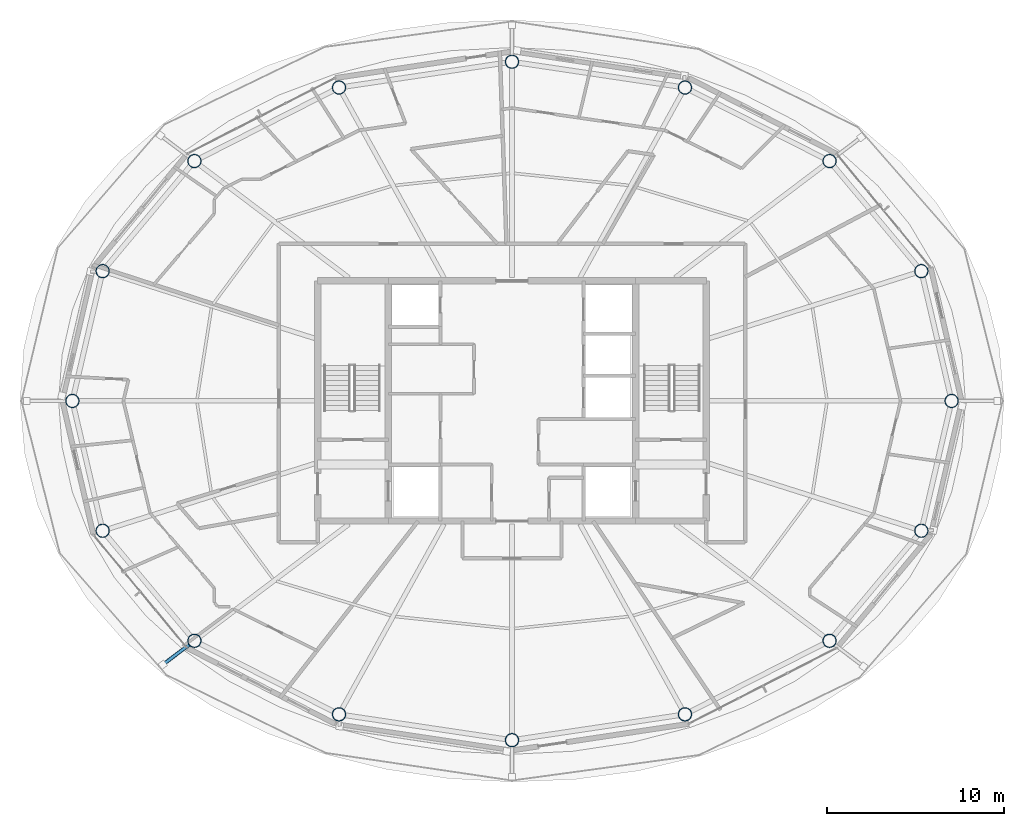
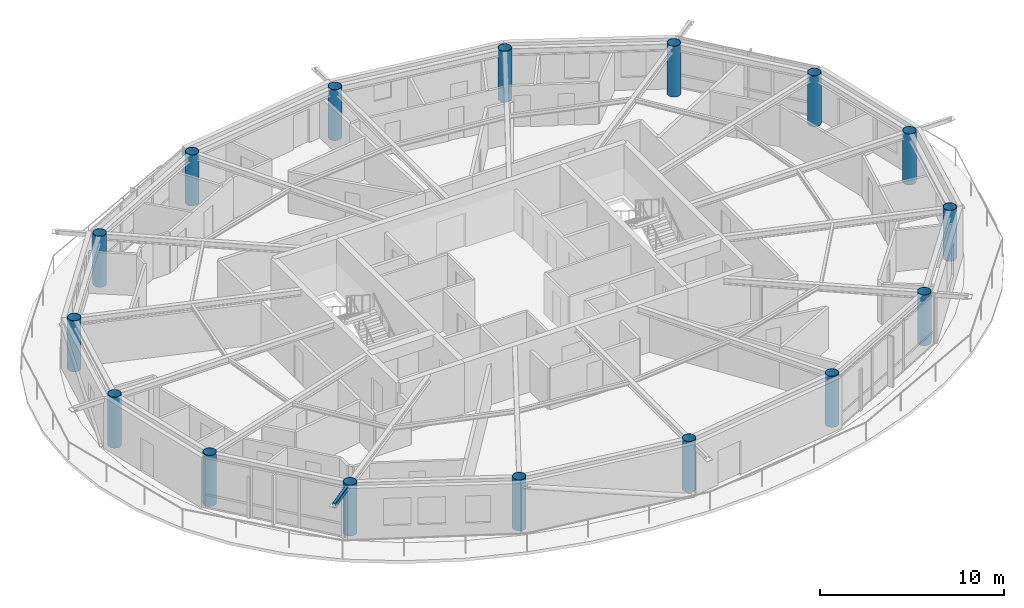
# One storey, part 1 of 22: 16 columns, 1 member.
"""IFC4 building model written with IfcOpenShell, lengths in metres."""

import ifcopenshell
import ifcopenshell.guid

model = None  # the IFC model being written
_history = None  # IfcOwnerHistory: only IFC2X3 demands one
_inside = {}  # id of a spatial element -> (the spatial element, [elements in it])
_under = {}  # id of a project, library or spatial element -> (it, [spatial elements below it])
_declared = {}  # id of a project -> (the project, [libraries it declares])
_typed = {}  # id of a type object -> (the type object, [elements of that type])
_made_of = {}  # id of a material, layer set ... -> (it, [elements and type objects made of it])


def new_model(schema):
    """Start an empty IFC model of exactly this schema.

    Asked for "IFC4X3", IfcOpenShell would pick the latest addendum, in which some entities
    have other attributes; the version numbers below select the first issue.
    IFC2X3 requires an IfcOwnerHistory on every rooted entity: one is made here for all.
    """
    global model, _history
    if schema == "IFC4X3":
        model = ifcopenshell.file(schema_version=(4, 3, 0, 0))
    else:
        model = ifcopenshell.file(schema=schema)
    _inside.clear()
    _under.clear()
    _declared.clear()
    _typed.clear()
    _made_of.clear()
    _history = None
    if model.schema == "IFC2X3":
        org = make("IfcOrganization", Name="unknown")
        user = make(
            "IfcPersonAndOrganization",
            ThePerson=make("IfcPerson", FamilyName="unknown"),
            TheOrganization=org,
        )
        app = make(
            "IfcApplication",
            ApplicationDeveloper=org,
            Version="unknown",
            ApplicationFullName="unknown",
            ApplicationIdentifier="unknown",
        )
        _history = make(
            "IfcOwnerHistory",
            OwningUser=user,
            OwningApplication=app,
            ChangeAction="ADDED",
            CreationDate=0,
        )
    return model


def make(cls, **values):
    """One entity of the class cls with the attributes given. An attribute that is None is left unset."""
    return model.create_entity(
        cls, **{name: value for name, value in values.items() if value is not None}
    )


def rooted(cls, **values):
    """An entity with a GlobalId (a new one), such as an element, a storey or a relation."""
    return make(cls, GlobalId=ifcopenshell.guid.new(), OwnerHistory=_history, **values)


def si_unit(unit_type, name, prefix=None):
    """IfcSIUnit, for example si_unit("LENGTHUNIT", "METRE", prefix="MILLI")."""
    return make("IfcSIUnit", UnitType=unit_type, Prefix=prefix, Name=name)


def assignment(units):
    """IfcUnitAssignment: the units of a project."""
    return None if units is None else make("IfcUnitAssignment", Units=units)


def point(xyz):
    """IfcCartesianPoint."""
    return None if xyz is None else make("IfcCartesianPoint", Coordinates=xyz)


def direction(xyz):
    """IfcDirection."""
    return None if xyz is None else make("IfcDirection", DirectionRatios=xyz)


def frame(location, z_axis=None, x_axis=None):
    """IfcAxis2Placement3D, a coordinate frame: its origin and axes. An axis left out is left unset."""
    return make(
        "IfcAxis2Placement3D",
        Location=point(location),
        Axis=direction(z_axis),
        RefDirection=direction(x_axis),
    )


def frame_2d(location, x_axis=None):
    """IfcAxis2Placement2D, a coordinate frame in the plane: its origin and x axis."""
    return make(
        "IfcAxis2Placement2D", Location=point(location), RefDirection=direction(x_axis)
    )


def origin():
    """The frame at (0, 0, 0) with its axes left unset."""
    return frame((0.0, 0.0, 0.0))


def origin_2d():
    """The frame at (0, 0) in the plane with its x axis left unset."""
    return frame_2d((0.0, 0.0))


def place(relative_to, where):
    """IfcLocalPlacement: puts the frame where relative to a parent placement (None: the world)."""
    return make(
        "IfcLocalPlacement", PlacementRelTo=relative_to, RelativePlacement=where
    )


def context(
    kind, dimensions, precision=None, world=None, true_north=None, identifier=None
):
    """IfcGeometricRepresentationContext, for example the 3D "Model" context."""
    return make(
        "IfcGeometricRepresentationContext",
        ContextIdentifier=identifier,
        ContextType=kind,
        CoordinateSpaceDimension=dimensions,
        Precision=precision,
        WorldCoordinateSystem=world,
        TrueNorth=true_north,
    )


def subcontext(parent, identifier, kind, view, scale=None):
    """IfcGeometricRepresentationSubContext, for example "Body" below "Model"."""
    return make(
        "IfcGeometricRepresentationSubContext",
        ContextIdentifier=identifier,
        ContextType=kind,
        ParentContext=parent,
        TargetScale=scale,
        TargetView=view,
    )


def project(units=None, contexts=None):
    """IfcProject with its units and contexts."""
    return rooted(
        "IfcProject",
        Name="project",
        RepresentationContexts=contexts,
        UnitsInContext=assignment(units),
    )


def spatial(cls, under=None, at=None, **own):
    """A site, building, storey or space (cls), placed at a placement, below another one or the project."""
    s = rooted(cls, ObjectPlacement=at, **own)
    if under is not None:
        _under.setdefault(under.id(), (under, []))[1].append(s)
    return s


def profile(cls, at=None, kind="AREA", **sizes):
    """A parametric profile (cls). Its sizes go by their IFC names, for example OverallWidth=200.0."""
    return make(cls, ProfileType=kind, Position=at, **sizes)


def hollow_rectangle(**sizes):
    """IfcRectangleHollowProfileDef."""
    return profile("IfcRectangleHollowProfileDef", **sizes)


def hollow_circle(**sizes):
    """IfcCircleHollowProfileDef."""
    return profile("IfcCircleHollowProfileDef", **sizes)


def extrude(swept, where, along, depth):
    """IfcExtrudedAreaSolid: the profile swept, set in the frame where, extruded along a direction by depth."""
    return make(
        "IfcExtrudedAreaSolid",
        SweptArea=swept,
        Position=where,
        ExtrudedDirection=direction(along),
        Depth=depth,
    )


def shape(context_of_items, identifier, shape_type, items):
    """IfcShapeRepresentation: the items that make up one representation, for example the "Body"."""
    return make(
        "IfcShapeRepresentation",
        ContextOfItems=context_of_items,
        RepresentationIdentifier=identifier,
        RepresentationType=shape_type,
        Items=items,
    )


def material(Name=None, Category=None):
    """IfcMaterial."""
    return make("IfcMaterial", Name=Name, Category=Category)


def material_profile(
    of_material, cross_section, Name=None, Category=None, Priority=None
):
    """IfcMaterialProfile: a cross section and its material."""
    return make(
        "IfcMaterialProfile",
        Name=Name,
        Material=of_material,
        Profile=cross_section,
        Priority=Priority,
        Category=Category,
    )


def profile_set(profiles, Name=None, composite=None):
    """IfcMaterialProfileSet."""
    return make(
        "IfcMaterialProfileSet",
        Name=Name,
        MaterialProfiles=profiles,
        CompositeProfile=composite,
    )


def made_of(thing, what):
    """Note that an element or type object is made of a material, layer set ...; save() writes the relation."""
    if what is not None:
        _made_of.setdefault(what.id(), (what, []))[1].append(thing)
    return thing


def type_object(cls, material=None, **own):
    """A type object (cls), such as IfcWallType, which elements share."""
    return made_of(rooted(cls, **own), material)


def element(
    cls,
    number,
    at=None,
    inside=None,
    cuts=None,
    type_object=None,
    material=None,
    context=None,
    identifier="Body",
    shape_type=None,
    held_by="IfcProductDefinitionShape",
    body=None,
    shapes=None,
    **own,
):
    """One element of the class cls, such as IfcWall. Its Tag is "e" and its number.

    at: its placement. inside: the storey or other place that contains it. cuts: it is an
    opening in that element (IfcRelVoidsElement). A single representation is given by context,
    identifier, shape_type and body (its items); several are given by shapes. held_by: the class
    of the entity that holds the representations. save() writes the other relations.
    """
    e = rooted(cls, Tag="e%d" % number, ObjectPlacement=at, **own)
    if body is not None:
        shapes = [shape(context, identifier, shape_type, body)]
    if shapes is not None:
        e.Representation = make(held_by, Representations=shapes)
    if inside is not None:
        _inside.setdefault(inside.id(), (inside, []))[1].append(e)
    if cuts is not None:
        rooted(
            "IfcRelVoidsElement", RelatingBuildingElement=cuts, RelatedOpeningElement=e
        )
    if type_object is not None:
        _typed.setdefault(type_object.id(), (type_object, []))[1].append(e)
    return made_of(e, material)


def aggregate(whole, parts):
    """IfcRelAggregates: a whole, such as a stair, and the parts it consists of."""
    return rooted("IfcRelAggregates", RelatingObject=whole, RelatedObjects=parts)


def save(model, path):
    """Write the relations noted so far, then the file.

    IfcRelAggregates (storeys below a building ...), IfcRelContainedInSpatialStructure (elements
    in a storey), IfcRelDefinesByType, IfcRelAssociatesMaterial and IfcRelDeclares: one each for
    every whole, place, type object, material and project.
    """
    for whole, parts in _under.values():
        aggregate(whole, parts)
    for where, things in _inside.values():
        rooted(
            "IfcRelContainedInSpatialStructure",
            RelatedElements=things,
            RelatingStructure=where,
        )
    for kind, things in _typed.values():
        rooted("IfcRelDefinesByType", RelatedObjects=things, RelatingType=kind)
    for what, things in _made_of.values():
        rooted("IfcRelAssociatesMaterial", RelatedObjects=things, RelatingMaterial=what)
    for by, libraries in _declared.values():
        rooted("IfcRelDeclares", RelatingContext=by, RelatedDefinitions=libraries)
    model.write(path)


model = new_model("IFC4")

# Units and contexts
model_context = context("Model", 3, precision=1e-05, world=origin(), true_north=direction((0.0, 1.0)))
body_context = subcontext(model_context, "Body", "Model", "MODEL_VIEW")
ifc_project = project(units=[si_unit("LENGTHUNIT", "METRE"), si_unit("AREAUNIT", "SQUARE_METRE"), si_unit("VOLUMEUNIT", "CUBIC_METRE"), si_unit("PLANEANGLEUNIT", "RADIAN"), si_unit("MASSUNIT", "GRAM", prefix="KILO")], contexts=[model_context])

# Site, building, storey
site_placement = place(None, origin())
site = spatial("IfcSite", under=ifc_project, at=site_placement, CompositionType="ELEMENT")
building_placement = place(site_placement, origin())
building = spatial("IfcBuilding", under=site, at=building_placement, Name="Sarneth Arch Tower", CompositionType="ELEMENT")
storey_placement = place(building_placement, frame((0.0, 0.0, 283.800048828125)))
storey = spatial("IfcBuildingStorey", under=building, at=storey_placement, Name="L73", CompositionType="ELEMENT", Elevation=283.800048828125)

# Columns
ifc_material_1 = material(Name="Steel S355", Category="steel")
ifc_material_profile_1 = material_profile(ifc_material_1, hollow_circle(Radius=0.381103515625, WallThickness=0.02490234375, at=origin_2d()), Name="CHS762x25")
ifc_profile_set_1 = profile_set([ifc_material_profile_1], Name="Steel S355")
column_type = type_object("IfcColumnType", Name="COL-MEGA-762", PredefinedType="COLUMN", material=ifc_profile_set_1)
for number, where, z_axis, x_axis, name in (
    (1, (72.88330078125, 42.0, 0.0), (0.0, 0.0, 1.0), (1.0, 0.0, 0.0), "L73 Perimeter mega-column M01"),
    (2, (71.1689453125, 49.347412109375, 0.0), (0.0, 0.0, 1.0), (1.0, 0.0, 0.0), "L73 Perimeter mega-column M02"),
    (3, (65.975341796875, 55.576416015625, 0.0), (0.0, 0.0, 1.0), (1.0, 0.0, 0.0), "L73 Perimeter mega-column M03"),
    (4, (57.790771484375, 59.738525390625, 0.0), (0.0, 0.0, 1.0), (1.0, 0.0, 0.0), "L73 Perimeter mega-column M04"),
    (5, (48.0, 61.199951171875, 0.0), (0.0, 0.0, 1.0), (1.0, 0.0, 0.0), "L73 Perimeter mega-column M05"),
    (6, (38.209228515625, 59.738525390625, 0.0), (0.0, 0.0, 1.0), (1.0, 0.0, 0.0), "L73 Perimeter mega-column M06"),
    (7, (30.024658203125, 55.576416015625, 0.0), (0.0, 0.0, 1.0), (1.0, 0.0, 0.0), "L73 Perimeter mega-column M07"),
    (8, (24.8310546875, 49.347412109375, 0.0), (0.0, 0.0, 1.0), (1.0, 0.0, 0.0), "L73 Perimeter mega-column M08"),
    (9, (23.11669921875, 42.0, 0.0), (0.0, 0.0, 1.0), (1.0, 0.0, 0.0), "L73 Perimeter mega-column M09"),
    (10, (24.8310546875, 34.652587890625, 0.0), (0.0, 0.0, 1.0), (1.0, 0.0, 0.0), "L73 Perimeter mega-column M10"),
    (11, (30.024658203125, 28.423583984375, 0.0), (0.0, 0.0, 1.0), (1.0, 0.0, 0.0), "L73 Perimeter mega-column M11"),
    (12, (38.209228515625, 24.261474609375, 0.0), (0.0, 0.0, 1.0), (1.0, 0.0, 0.0), "L73 Perimeter mega-column M12"),
    (13, (48.0, 22.800048828125, 0.0), (0.0, 0.0, 1.0), (1.0, 0.0, 0.0), "L73 Perimeter mega-column M13"),
    (14, (57.790771484375, 24.261474609375, 0.0), (0.0, 0.0, 1.0), (1.0, 0.0, 0.0), "L73 Perimeter mega-column M14"),
    (15, (65.975341796875, 28.423583984375, 0.0), (0.0, 0.0, 1.0), (1.0, 0.0, 0.0), "L73 Perimeter mega-column M15"),
    (16, (71.1689453125, 34.652587890625, 0.0), (0.0, 0.0, 1.0), (1.0, 0.0, 0.0), "L73 Perimeter mega-column M16"),
):
    element("IfcColumn", number, at=place(storey_placement, frame(where, z_axis=z_axis, x_axis=x_axis)), inside=storey, type_object=column_type, Name=name, PredefinedType="COLUMN", context=body_context, shape_type="SweptSolid", body=[
        extrude(hollow_circle(Radius=0.381103515625, WallThickness=0.02490234375, at=origin_2d()), origin(), (0.0, 0.0, 1.0), 3.369873046875),
    ])

# Member
ifc_material_2 = material(Name="Steel S355", Category="steel")
ifc_material_profile_2 = material_profile(ifc_material_2, hollow_rectangle(XDim=0.199951171875, YDim=0.300048828125, WallThickness=0.012451171875, InnerFilletRadius=0.018798828125, OuterFilletRadius=0.03125, at=origin_2d()), Name="RHS300x200x12.5")
ifc_profile_set_2 = profile_set([ifc_material_profile_2], Name="Steel S355")
member_type = type_object("IfcMemberType", Name="MEM-CANT-STRUT", PredefinedType="STRUT", material=ifc_profile_set_2)
member_placement = place(storey_placement, frame((29.720703125, 28.19384765625, 3.2099609375), z_axis=(-0.797978206351, -0.602686304962, 0.0), x_axis=(0.602686304962, -0.797978206351, 0.0)))
element("IfcMember", 17, at=member_placement, inside=storey, type_object=member_type, Name="L73 Balcony cantilever bracket 11", PredefinedType="STRUT", context=body_context, shape_type="SweptSolid", body=[
    extrude(hollow_rectangle(XDim=0.199951171875, YDim=0.300048828125, WallThickness=0.012451171875, InnerFilletRadius=0.018798828125, OuterFilletRadius=0.03125, at=origin_2d()), origin(), (0.0, 0.0, 1.0), 1.85888671875),
])

save(model, "model.ifc")
